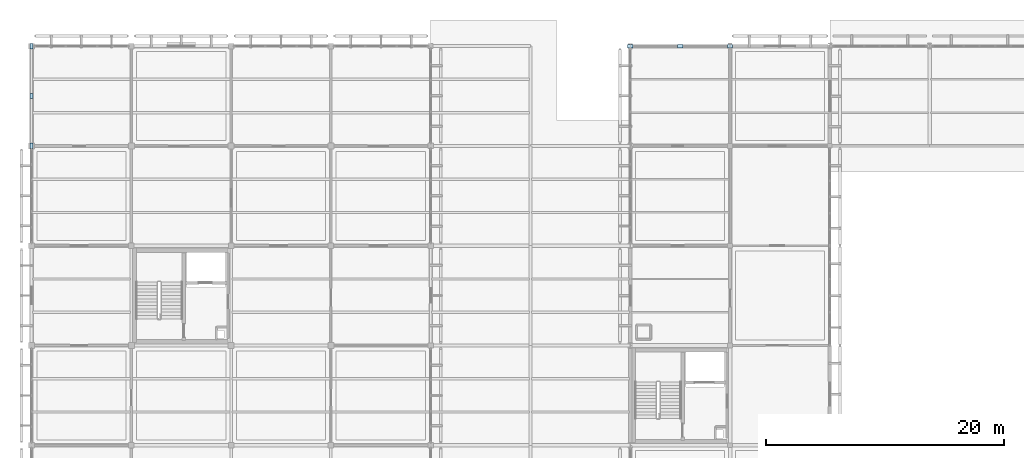
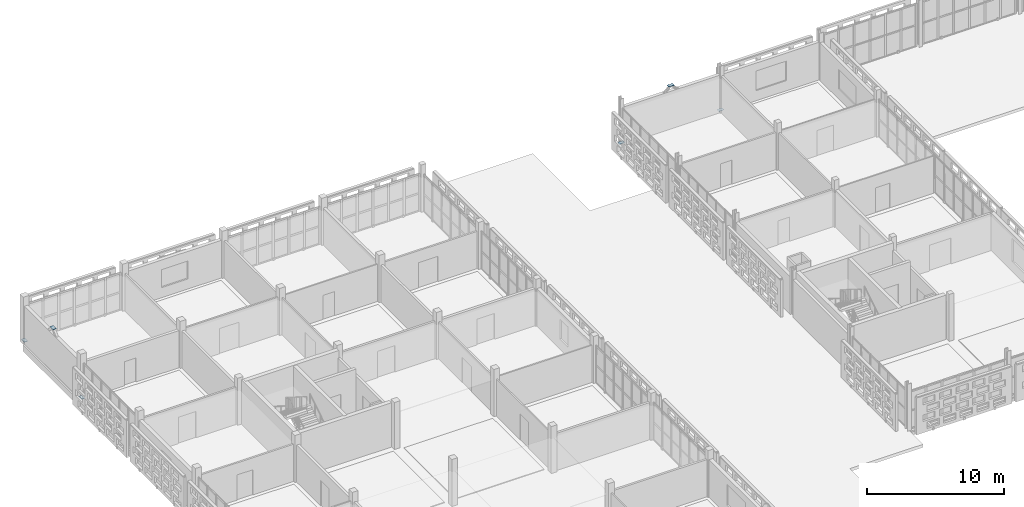
# One storey, part 94 of 166: 6 plates.
"""IFC4 building model written with IfcOpenShell, lengths in metres."""

from ifc_helpers import new_model, si_unit, direction, frame, origin, origin_2d, place, context, subcontext, project, spatial, rectangle, extrude, material, layer, layer_set, type_object, element, save


model = new_model("IFC4")

# Units and contexts
model_context = context("Model", 3, precision=1e-05, world=origin(), true_north=direction((0.0, 1.0)))
body_context = subcontext(model_context, "Body", "Model", "MODEL_VIEW")
ifc_project = project(units=[si_unit("LENGTHUNIT", "METRE"), si_unit("AREAUNIT", "SQUARE_METRE"), si_unit("VOLUMEUNIT", "CUBIC_METRE"), si_unit("PLANEANGLEUNIT", "RADIAN"), si_unit("MASSUNIT", "GRAM", prefix="KILO")], contexts=[model_context])

# Site, building, storey
site_placement = place(None, origin())
site = spatial("IfcSite", under=ifc_project, at=site_placement, CompositionType="ELEMENT")
building_placement = place(site_placement, origin())
building = spatial("IfcBuilding", under=site, at=building_placement, Name="Varnapada Polytechnic", CompositionType="ELEMENT")
storey_placement = place(building_placement, frame((0.0, 0.0, 9.60009765625)))
storey = spatial("IfcBuildingStorey", under=building, at=storey_placement, Name="L02", CompositionType="ELEMENT", Elevation=9.60009765625)

# Plates
ifc_material = material(Name="Steel S355", Category="steel")
ifc_layer = layer(ifc_material, 0.02001953125)
ifc_layer_set = layer_set([ifc_layer], Name="Steel S355")
plate_type = type_object("IfcPlateType", Name="Plate BP-03", PredefinedType="SHEET", material=ifc_layer_set)
for number, where, z_axis, x_axis, name in (
    (1, (54.60009765625, 126.0, 3.789794921875), (0.0, 0.0, 1.0), (1.0, 0.0, 0.0), "L02 chevron brace gusset plate 5"),
    (2, (50.39990234375, 126.0, 0.1298828125), (0.0, 0.0, 1.0), (1.0, 0.0, 0.0), "L02 chevron brace base gusset plate 5L"),
    (3, (58.800048828125, 126.0, 0.1298828125), (0.0, 0.0, 1.0), (1.0, 0.0, 0.0), "L02 chevron brace base gusset plate 5R"),
    (4, (0.0, 121.800048828125, 3.789794921875), (0.0, 0.0, 1.0), (0.0, 1.0, 0.0), "L02 chevron brace gusset plate 9"),
    (5, (0.0, 117.60009765625, 0.1298828125), (0.0, 0.0, 1.0), (0.0, 1.0, 0.0), "L02 chevron brace base gusset plate 9L"),
    (6, (0.0, 126.0, 0.1298828125), (0.0, 0.0, 1.0), (0.0, 1.0, 0.0), "L02 chevron brace base gusset plate 9R"),
):
    element("IfcPlate", number, at=place(storey_placement, frame(where, z_axis=z_axis, x_axis=x_axis)), inside=storey, type_object=plate_type, Name=name, PredefinedType="SHEET", context=body_context, shape_type="SweptSolid", body=[
        extrude(rectangle(XDim=0.449951171875, YDim=0.280029296875, at=origin_2d()), origin(), (0.0, 0.0, 1.0), 0.02001953125),
    ])

save(model, "model.ifc")
